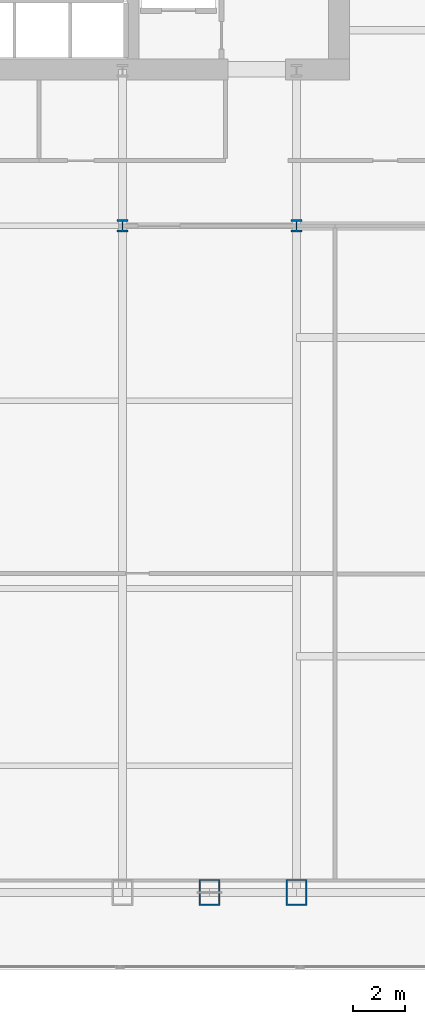
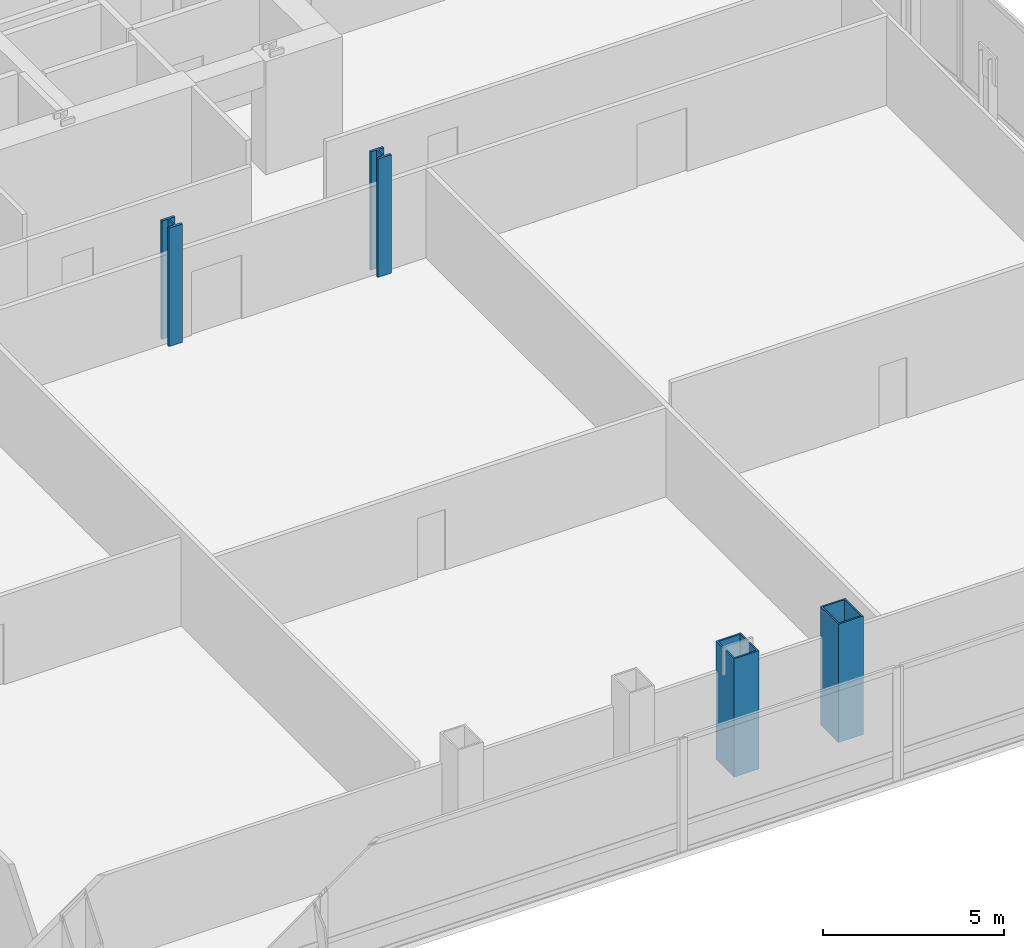
# One storey, part 2 of 35: 4 columns.
"""IFC4 building model written with IfcOpenShell, lengths in metres."""

import ifcopenshell
import ifcopenshell.guid

model = None  # the IFC model being written
_history = None  # IfcOwnerHistory: only IFC2X3 demands one
_inside = {}  # id of a spatial element -> (the spatial element, [elements in it])
_under = {}  # id of a project, library or spatial element -> (it, [spatial elements below it])
_declared = {}  # id of a project -> (the project, [libraries it declares])
_typed = {}  # id of a type object -> (the type object, [elements of that type])
_made_of = {}  # id of a material, layer set ... -> (it, [elements and type objects made of it])


def new_model(schema):
    """Start an empty IFC model of exactly this schema.

    Asked for "IFC4X3", IfcOpenShell would pick the latest addendum, in which some entities
    have other attributes; the version numbers below select the first issue.
    IFC2X3 requires an IfcOwnerHistory on every rooted entity: one is made here for all.
    """
    global model, _history
    if schema == "IFC4X3":
        model = ifcopenshell.file(schema_version=(4, 3, 0, 0))
    else:
        model = ifcopenshell.file(schema=schema)
    _inside.clear()
    _under.clear()
    _declared.clear()
    _typed.clear()
    _made_of.clear()
    _history = None
    if model.schema == "IFC2X3":
        org = make("IfcOrganization", Name="unknown")
        user = make(
            "IfcPersonAndOrganization",
            ThePerson=make("IfcPerson", FamilyName="unknown"),
            TheOrganization=org,
        )
        app = make(
            "IfcApplication",
            ApplicationDeveloper=org,
            Version="unknown",
            ApplicationFullName="unknown",
            ApplicationIdentifier="unknown",
        )
        _history = make(
            "IfcOwnerHistory",
            OwningUser=user,
            OwningApplication=app,
            ChangeAction="ADDED",
            CreationDate=0,
        )
    return model


def make(cls, **values):
    """One entity of the class cls with the attributes given. An attribute that is None is left unset."""
    return model.create_entity(
        cls, **{name: value for name, value in values.items() if value is not None}
    )


def rooted(cls, **values):
    """An entity with a GlobalId (a new one), such as an element, a storey or a relation."""
    return make(cls, GlobalId=ifcopenshell.guid.new(), OwnerHistory=_history, **values)


def si_unit(unit_type, name, prefix=None):
    """IfcSIUnit, for example si_unit("LENGTHUNIT", "METRE", prefix="MILLI")."""
    return make("IfcSIUnit", UnitType=unit_type, Prefix=prefix, Name=name)


def assignment(units):
    """IfcUnitAssignment: the units of a project."""
    return None if units is None else make("IfcUnitAssignment", Units=units)


def point(xyz):
    """IfcCartesianPoint."""
    return None if xyz is None else make("IfcCartesianPoint", Coordinates=xyz)


def direction(xyz):
    """IfcDirection."""
    return None if xyz is None else make("IfcDirection", DirectionRatios=xyz)


def frame(location, z_axis=None, x_axis=None):
    """IfcAxis2Placement3D, a coordinate frame: its origin and axes. An axis left out is left unset."""
    return make(
        "IfcAxis2Placement3D",
        Location=point(location),
        Axis=direction(z_axis),
        RefDirection=direction(x_axis),
    )


def frame_2d(location, x_axis=None):
    """IfcAxis2Placement2D, a coordinate frame in the plane: its origin and x axis."""
    return make(
        "IfcAxis2Placement2D", Location=point(location), RefDirection=direction(x_axis)
    )


def origin():
    """The frame at (0, 0, 0) with its axes left unset."""
    return frame((0.0, 0.0, 0.0))


def origin_2d():
    """The frame at (0, 0) in the plane with its x axis left unset."""
    return frame_2d((0.0, 0.0))


def place(relative_to, where):
    """IfcLocalPlacement: puts the frame where relative to a parent placement (None: the world)."""
    return make(
        "IfcLocalPlacement", PlacementRelTo=relative_to, RelativePlacement=where
    )


def context(
    kind, dimensions, precision=None, world=None, true_north=None, identifier=None
):
    """IfcGeometricRepresentationContext, for example the 3D "Model" context."""
    return make(
        "IfcGeometricRepresentationContext",
        ContextIdentifier=identifier,
        ContextType=kind,
        CoordinateSpaceDimension=dimensions,
        Precision=precision,
        WorldCoordinateSystem=world,
        TrueNorth=true_north,
    )


def subcontext(parent, identifier, kind, view, scale=None):
    """IfcGeometricRepresentationSubContext, for example "Body" below "Model"."""
    return make(
        "IfcGeometricRepresentationSubContext",
        ContextIdentifier=identifier,
        ContextType=kind,
        ParentContext=parent,
        TargetScale=scale,
        TargetView=view,
    )


def project(units=None, contexts=None):
    """IfcProject with its units and contexts."""
    return rooted(
        "IfcProject",
        Name="project",
        RepresentationContexts=contexts,
        UnitsInContext=assignment(units),
    )


def spatial(cls, under=None, at=None, **own):
    """A site, building, storey or space (cls), placed at a placement, below another one or the project."""
    s = rooted(cls, ObjectPlacement=at, **own)
    if under is not None:
        _under.setdefault(under.id(), (under, []))[1].append(s)
    return s


def profile(cls, at=None, kind="AREA", **sizes):
    """A parametric profile (cls). Its sizes go by their IFC names, for example OverallWidth=200.0."""
    return make(cls, ProfileType=kind, Position=at, **sizes)


def hollow_rectangle(**sizes):
    """IfcRectangleHollowProfileDef."""
    return profile("IfcRectangleHollowProfileDef", **sizes)


def i_section(**sizes):
    """IfcIShapeProfileDef."""
    return profile("IfcIShapeProfileDef", **sizes)


def extrude(swept, where, along, depth):
    """IfcExtrudedAreaSolid: the profile swept, set in the frame where, extruded along a direction by depth."""
    return make(
        "IfcExtrudedAreaSolid",
        SweptArea=swept,
        Position=where,
        ExtrudedDirection=direction(along),
        Depth=depth,
    )


def shape(context_of_items, identifier, shape_type, items):
    """IfcShapeRepresentation: the items that make up one representation, for example the "Body"."""
    return make(
        "IfcShapeRepresentation",
        ContextOfItems=context_of_items,
        RepresentationIdentifier=identifier,
        RepresentationType=shape_type,
        Items=items,
    )


def material(Name=None, Category=None):
    """IfcMaterial."""
    return make("IfcMaterial", Name=Name, Category=Category)


def material_profile(
    of_material, cross_section, Name=None, Category=None, Priority=None
):
    """IfcMaterialProfile: a cross section and its material."""
    return make(
        "IfcMaterialProfile",
        Name=Name,
        Material=of_material,
        Profile=cross_section,
        Priority=Priority,
        Category=Category,
    )


def profile_set(profiles, Name=None, composite=None):
    """IfcMaterialProfileSet."""
    return make(
        "IfcMaterialProfileSet",
        Name=Name,
        MaterialProfiles=profiles,
        CompositeProfile=composite,
    )


def made_of(thing, what):
    """Note that an element or type object is made of a material, layer set ...; save() writes the relation."""
    if what is not None:
        _made_of.setdefault(what.id(), (what, []))[1].append(thing)
    return thing


def type_object(cls, material=None, **own):
    """A type object (cls), such as IfcWallType, which elements share."""
    return made_of(rooted(cls, **own), material)


def element(
    cls,
    number,
    at=None,
    inside=None,
    cuts=None,
    type_object=None,
    material=None,
    context=None,
    identifier="Body",
    shape_type=None,
    held_by="IfcProductDefinitionShape",
    body=None,
    shapes=None,
    **own,
):
    """One element of the class cls, such as IfcWall. Its Tag is "e" and its number.

    at: its placement. inside: the storey or other place that contains it. cuts: it is an
    opening in that element (IfcRelVoidsElement). A single representation is given by context,
    identifier, shape_type and body (its items); several are given by shapes. held_by: the class
    of the entity that holds the representations. save() writes the other relations.
    """
    e = rooted(cls, Tag="e%d" % number, ObjectPlacement=at, **own)
    if body is not None:
        shapes = [shape(context, identifier, shape_type, body)]
    if shapes is not None:
        e.Representation = make(held_by, Representations=shapes)
    if inside is not None:
        _inside.setdefault(inside.id(), (inside, []))[1].append(e)
    if cuts is not None:
        rooted(
            "IfcRelVoidsElement", RelatingBuildingElement=cuts, RelatedOpeningElement=e
        )
    if type_object is not None:
        _typed.setdefault(type_object.id(), (type_object, []))[1].append(e)
    return made_of(e, material)


def aggregate(whole, parts):
    """IfcRelAggregates: a whole, such as a stair, and the parts it consists of."""
    return rooted("IfcRelAggregates", RelatingObject=whole, RelatedObjects=parts)


def save(model, path):
    """Write the relations noted so far, then the file.

    IfcRelAggregates (storeys below a building ...), IfcRelContainedInSpatialStructure (elements
    in a storey), IfcRelDefinesByType, IfcRelAssociatesMaterial and IfcRelDeclares: one each for
    every whole, place, type object, material and project.
    """
    for whole, parts in _under.values():
        aggregate(whole, parts)
    for where, things in _inside.values():
        rooted(
            "IfcRelContainedInSpatialStructure",
            RelatedElements=things,
            RelatingStructure=where,
        )
    for kind, things in _typed.values():
        rooted("IfcRelDefinesByType", RelatedObjects=things, RelatingType=kind)
    for what, things in _made_of.values():
        rooted("IfcRelAssociatesMaterial", RelatedObjects=things, RelatingMaterial=what)
    for by, libraries in _declared.values():
        rooted("IfcRelDeclares", RelatingContext=by, RelatedDefinitions=libraries)
    model.write(path)


model = new_model("IFC4")

# Units and contexts
model_context = context("Model", 3, precision=1e-05, world=origin(), true_north=direction((0.0, 1.0)))
body_context = subcontext(model_context, "Body", "Model", "MODEL_VIEW")
ifc_project = project(units=[si_unit("LENGTHUNIT", "METRE"), si_unit("AREAUNIT", "SQUARE_METRE"), si_unit("VOLUMEUNIT", "CUBIC_METRE"), si_unit("PLANEANGLEUNIT", "RADIAN"), si_unit("MASSUNIT", "GRAM", prefix="KILO")], contexts=[model_context])

# Site, building, storey
site_placement = place(None, origin())
site = spatial("IfcSite", under=ifc_project, at=site_placement, CompositionType="ELEMENT")
building_placement = place(site_placement, origin())
building = spatial("IfcBuilding", under=site, at=building_placement, Name="Khoronbel Lancet Exchange", CompositionType="ELEMENT")
storey_placement = place(building_placement, frame((0.0, 0.0, 69.800048828125)))
storey = spatial("IfcBuildingStorey", under=building, at=storey_placement, Name="L16", CompositionType="ELEMENT", Elevation=69.800048828125)

# Columns
ifc_material = material(Name="Steel S460", Category="steel")
ifc_material_profile_1 = material_profile(ifc_material, hollow_rectangle(XDim=0.800048828125, YDim=1.0, WallThickness=0.054931640625, at=origin_2d()), Name="BOX 1000x800x55")
ifc_profile_set_1 = profile_set([ifc_material_profile_1], Name="Steel S460")
column_type_1 = type_object("IfcColumnType", Name="COL-EC1", PredefinedType="COLUMN", material=ifc_profile_set_1)
for number, where, z_axis, x_axis, name in (
    (1, (51.33740234375, 10.14990234375, 0.0), (0.0, 0.0, 1.0), (1.0, 0.0, 0.0), "Structural column SC-EM L16"),
    (2, (54.675048828125, 10.14990234375, 0.0), (0.0, 0.0, 1.0), (1.0, 0.0, 0.0), "Structural column SC-E2 L16"),
):
    element("IfcColumn", number, at=place(storey_placement, frame(where, z_axis=z_axis, x_axis=x_axis)), inside=storey, type_object=column_type_1, Name=name, PredefinedType="COLUMN", context=body_context, shape_type="SweptSolid", body=[
        extrude(hollow_rectangle(XDim=0.800048828125, YDim=1.0, WallThickness=0.054931640625, at=origin_2d()), origin(), (0.0, 0.0, 1.0), 4.0),
    ])
ifc_material_profile_2 = material_profile(ifc_material, i_section(OverallWidth=0.424072265625, OverallDepth=0.47412109375, WebThickness=0.047607421875, FlangeThickness=0.076904296875, at=origin_2d()), Name="HD 400x634")
ifc_profile_set_2 = profile_set([ifc_material_profile_2], Name="Steel S460")
column_type_2 = type_object("IfcColumnType", Name="COL-IC1", PredefinedType="COLUMN", material=ifc_profile_set_2)
for number, where, z_axis, x_axis, name in (
    (3, (48.0, 35.699951171875, 0.0), (0.0, 0.0, 1.0), (1.0, 0.0, 0.0), "Spine gravity column TC3 L16"),
    (4, (54.675048828125, 35.699951171875, 0.0), (0.0, 0.0, 1.0), (1.0, 0.0, 0.0), "Spine gravity column TC4 L16"),
):
    element("IfcColumn", number, at=place(storey_placement, frame(where, z_axis=z_axis, x_axis=x_axis)), inside=storey, type_object=column_type_2, Name=name, PredefinedType="COLUMN", context=body_context, shape_type="SweptSolid", body=[
        extrude(i_section(OverallWidth=0.424072265625, OverallDepth=0.47412109375, WebThickness=0.047607421875, FlangeThickness=0.076904296875, at=origin_2d()), origin(), (0.0, 0.0, 1.0), 4.0),
    ])

save(model, "model.ifc")
